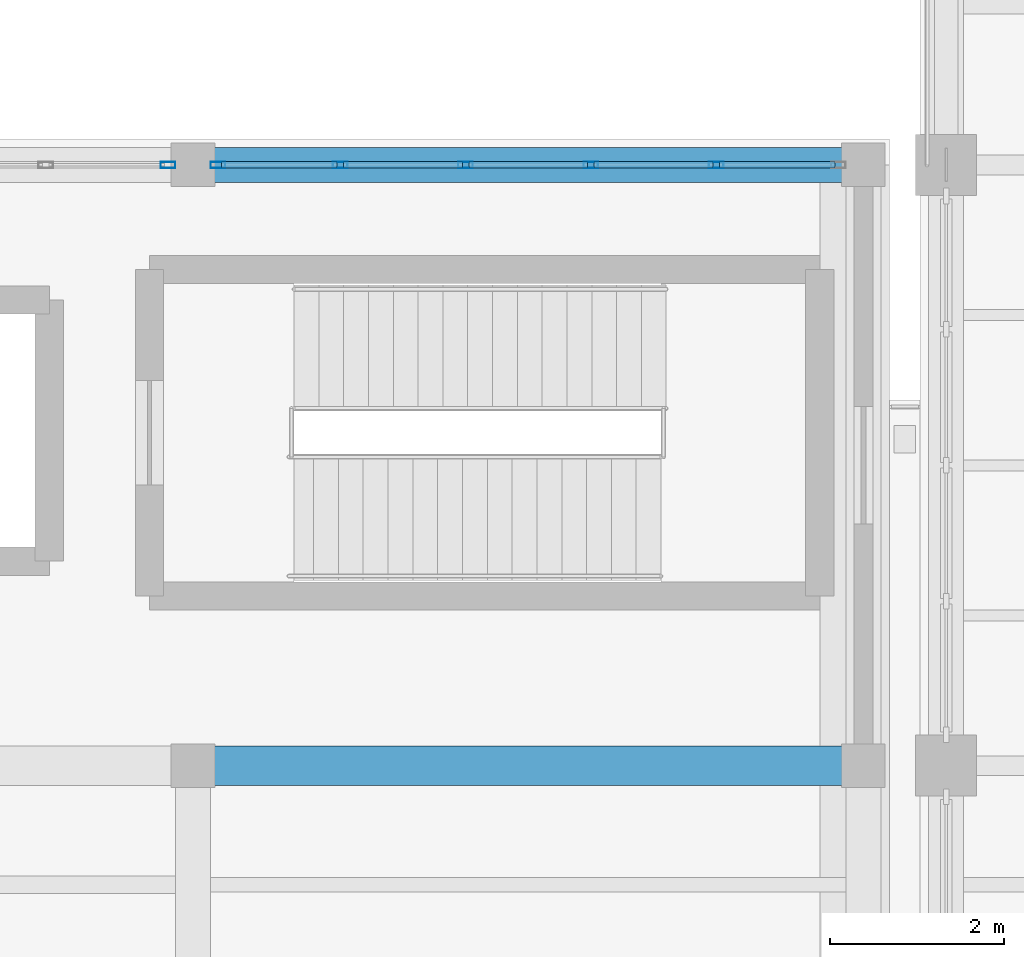
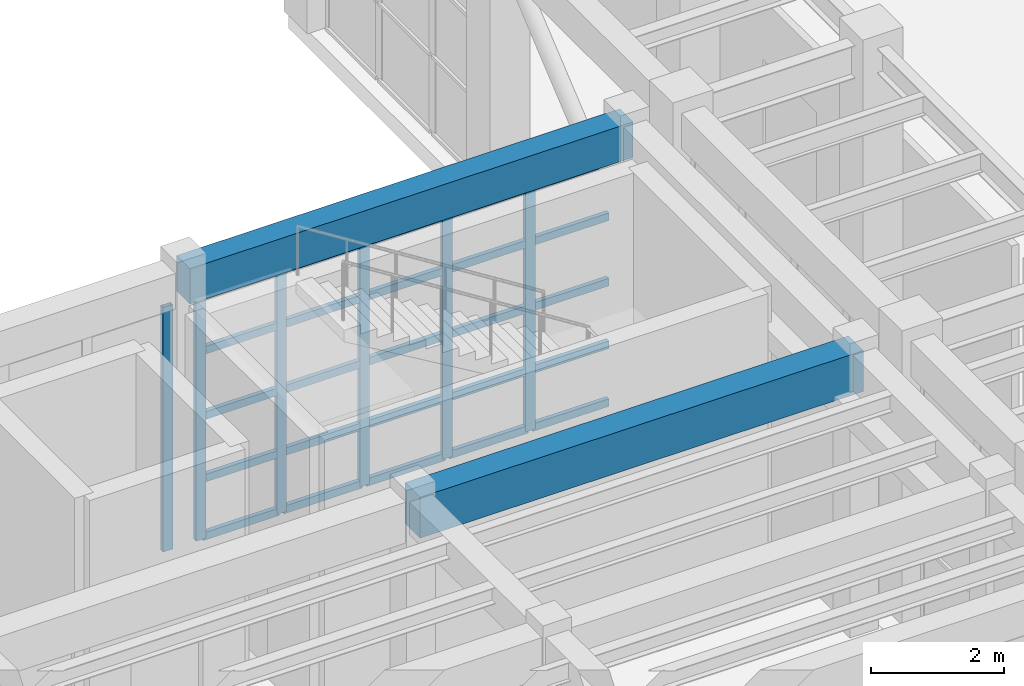
# One storey, part 32 of 103: 31 members, 2 beams, 2 elements without a shape of their own.
"""IFC4 building model written with IfcOpenShell, lengths in metres."""

from ifc_helpers import new_model, si_unit, direction, frame, origin, origin_2d, place, context, subcontext, project, spatial, rectangle, hollow_rectangle, extrude, material, layer, layer_set, material_profile, profile_set, type_object, element, aggregate, save


model = new_model("IFC4")

# Units and contexts
model_context = context("Model", 3, precision=1e-05, world=origin(), true_north=direction((0.0, 1.0)))
body_context = subcontext(model_context, "Body", "Model", "MODEL_VIEW")
ifc_project = project(units=[si_unit("LENGTHUNIT", "METRE"), si_unit("AREAUNIT", "SQUARE_METRE"), si_unit("VOLUMEUNIT", "CUBIC_METRE"), si_unit("PLANEANGLEUNIT", "RADIAN"), si_unit("MASSUNIT", "GRAM", prefix="KILO")], contexts=[model_context])

# Site, building, storey
site_placement = place(None, origin())
site = spatial("IfcSite", under=ifc_project, at=site_placement, CompositionType="ELEMENT")
building_placement = place(site_placement, origin())
building = spatial("IfcBuilding", under=site, at=building_placement, Name="Candilejo Ridge Gondola Terminal", CompositionType="ELEMENT")
storey_placement = place(building_placement, frame((0.0, 0.0, 9.0)))
storey = spatial("IfcBuildingStorey", under=building, at=storey_placement, Name="L02", CompositionType="ELEMENT", Elevation=9.0)

# Curtain wall, member
ifc_material_1 = material(Name="Anodised aluminium AA 6063-T6", Category="aluminium")
ifc_layer = layer(ifc_material_1, 0.169921875)
ifc_layer_set = layer_set([ifc_layer], Name="ARC-CW-GALLERY-3200-720X449")
curtain_wall_type = type_object("IfcCurtainWallType", Name="ARC-CW-GALLERY-3200-720X449", PredefinedType="NOTDEFINED", material=ifc_layer_set)
curtain_wall_1_placement = place(storey_placement, origin())
curtain_wall_1 = element("IfcCurtainWall", 1, at=curtain_wall_1_placement, inside=storey, type_object=curtain_wall_type, Name="Curtain wall V3 L02-090", PredefinedType="NOTDEFINED")
ifc_material_2 = material(Name="Anodised aluminium AA 6063-T6", Category="aluminium")
ifc_material_profile_1 = material_profile(ifc_material_2, hollow_rectangle(XDim=0.074951171875, YDim=0.169921875, WallThickness=0.00390625, at=origin_2d()))
ifc_profile_set_1 = profile_set([ifc_material_profile_1], Name="Anodised aluminium AA 6063-T6")
member_type_1 = type_object("IfcMemberType", Name="ARC-CW-MULLION", PredefinedType="MULLION", material=ifc_profile_set_1)
member_1_placement = place(storey_placement, frame((124.96240234375, 36.699951171875, 0.0), z_axis=(0.0, 0.0, 1.0), x_axis=(0.0, 1.0, 0.0)))
member_1 = element("IfcMember", 2, at=member_1_placement, type_object=member_type_1, Name="CW-72X44 mullion 6", PredefinedType="MULLION", context=body_context, shape_type="SweptSolid", body=[
    extrude(hollow_rectangle(XDim=0.074951171875, YDim=0.169921875, WallThickness=0.00390625, at=origin_2d()), origin(), (0.0, 0.0, 1.0), 4.489990234375),
])
aggregate(curtain_wall_1, [member_1])

# Curtain wall, members
curtain_wall_2_placement = place(storey_placement, origin())
curtain_wall_2 = element("IfcCurtainWall", 3, at=curtain_wall_2_placement, inside=storey, type_object=curtain_wall_type, Name="Curtain wall V3 L02-092", PredefinedType="NOTDEFINED")
member_2_placement = place(storey_placement, frame((125.53759765625, 36.699951171875, 0.0), z_axis=(0.0, 0.0, 1.0), x_axis=(0.0, 1.0, 0.0)))
member_2 = element("IfcMember", 4, at=member_2_placement, type_object=member_type_1, Name="CW-72X44 mullion 1", PredefinedType="MULLION", context=body_context, shape_type="SweptSolid", body=[
    extrude(hollow_rectangle(XDim=0.074951171875, YDim=0.169921875, WallThickness=0.00390625, at=origin_2d()), origin(), (0.0, 0.0, 1.0), 4.489990234375),
])
member_3_placement = place(storey_placement, frame((126.93994140625, 36.699951171875, 0.0), z_axis=(0.0, 0.0, 1.0), x_axis=(0.0, 1.0, 0.0)))
member_3 = element("IfcMember", 5, at=member_3_placement, type_object=member_type_1, Name="CW-72X44 mullion 2", PredefinedType="MULLION", context=body_context, shape_type="SweptSolid", body=[
    extrude(hollow_rectangle(XDim=0.074951171875, YDim=0.169921875, WallThickness=0.00390625, at=origin_2d()), origin(), (0.0, 0.0, 1.0), 4.489990234375),
])
member_4_placement = place(storey_placement, frame((128.3798828125, 36.699951171875, 0.0), z_axis=(0.0, 0.0, 1.0), x_axis=(0.0, 1.0, 0.0)))
member_4 = element("IfcMember", 6, at=member_4_placement, type_object=member_type_1, Name="CW-72X44 mullion 3", PredefinedType="MULLION", context=body_context, shape_type="SweptSolid", body=[
    extrude(hollow_rectangle(XDim=0.074951171875, YDim=0.169921875, WallThickness=0.00390625, at=origin_2d()), origin(), (0.0, 0.0, 1.0), 4.489990234375),
])
member_5_placement = place(storey_placement, frame((129.820068359375, 36.699951171875, 0.0), z_axis=(0.0, 0.0, 1.0), x_axis=(0.0, 1.0, 0.0)))
member_5 = element("IfcMember", 7, at=member_5_placement, type_object=member_type_1, Name="CW-72X44 mullion 4", PredefinedType="MULLION", context=body_context, shape_type="SweptSolid", body=[
    extrude(hollow_rectangle(XDim=0.074951171875, YDim=0.169921875, WallThickness=0.00390625, at=origin_2d()), origin(), (0.0, 0.0, 1.0), 4.489990234375),
])
member_6_placement = place(storey_placement, frame((131.260009765625, 36.699951171875, 0.0), z_axis=(0.0, 0.0, 1.0), x_axis=(0.0, 1.0, 0.0)))
member_6 = element("IfcMember", 8, at=member_6_placement, type_object=member_type_1, Name="CW-72X44 mullion 5", PredefinedType="MULLION", context=body_context, shape_type="SweptSolid", body=[
    extrude(hollow_rectangle(XDim=0.074951171875, YDim=0.169921875, WallThickness=0.00390625, at=origin_2d()), origin(), (0.0, 0.0, 1.0), 4.489990234375),
])
ifc_material_3 = material(Name="Anodised aluminium AA 6063-T6", Category="aluminium")
ifc_material_profile_2 = material_profile(ifc_material_3, hollow_rectangle(XDim=0.074951171875, YDim=0.139892578125, WallThickness=0.00390625, at=origin_2d()))
ifc_profile_set_2 = profile_set([ifc_material_profile_2], Name="Anodised aluminium AA 6063-T6")
member_type_2 = type_object("IfcMemberType", Name="ARC-CW-TRANSOM", PredefinedType="USERDEFINED", material=ifc_profile_set_2)
member_7_placement = place(storey_placement, frame((125.574951171875, 36.699951171875, 0.03759765625), z_axis=(1.0, 0.0, 0.0), x_axis=(0.0, 1.0, 0.0)))
member_7 = element("IfcMember", 9, at=member_7_placement, type_object=member_type_2, Name="CW-72X44 transom 1.1", ObjectType="TRANSOM", PredefinedType="USERDEFINED", context=body_context, shape_type="SweptSolid", body=[
    extrude(hollow_rectangle(XDim=0.074951171875, YDim=0.139892578125, WallThickness=0.00390625, at=origin_2d()), origin(), (0.0, 0.0, 1.0), 1.32763671875),
])
member_8_placement = place(storey_placement, frame((125.574951171875, 36.699951171875, 1.10009765625), z_axis=(1.0, 0.0, 0.0), x_axis=(0.0, 1.0, 0.0)))
member_8 = element("IfcMember", 10, at=member_8_placement, type_object=member_type_2, Name="CW-72X44 transom 1.2", ObjectType="TRANSOM", PredefinedType="USERDEFINED", context=body_context, shape_type="SweptSolid", body=[
    extrude(hollow_rectangle(XDim=0.074951171875, YDim=0.139892578125, WallThickness=0.00390625, at=origin_2d()), origin(), (0.0, 0.0, 1.0), 1.32763671875),
])
member_9_placement = place(storey_placement, frame((125.574951171875, 36.699951171875, 2.25), z_axis=(1.0, 0.0, 0.0), x_axis=(0.0, 1.0, 0.0)))
member_9 = element("IfcMember", 11, at=member_9_placement, type_object=member_type_2, Name="CW-72X44 transom 1.3", ObjectType="TRANSOM", PredefinedType="USERDEFINED", context=body_context, shape_type="SweptSolid", body=[
    extrude(hollow_rectangle(XDim=0.074951171875, YDim=0.139892578125, WallThickness=0.00390625, at=origin_2d()), origin(), (0.0, 0.0, 1.0), 1.32763671875),
])
member_10_placement = place(storey_placement, frame((125.574951171875, 36.699951171875, 3.449951171875), z_axis=(1.0, 0.0, 0.0), x_axis=(0.0, 1.0, 0.0)))
member_10 = element("IfcMember", 12, at=member_10_placement, type_object=member_type_2, Name="CW-72X44 transom 1.4", ObjectType="TRANSOM", PredefinedType="USERDEFINED", context=body_context, shape_type="SweptSolid", body=[
    extrude(hollow_rectangle(XDim=0.074951171875, YDim=0.139892578125, WallThickness=0.00390625, at=origin_2d()), origin(), (0.0, 0.0, 1.0), 1.32763671875),
])
member_11_placement = place(storey_placement, frame((125.574951171875, 36.699951171875, 4.452392578125), z_axis=(1.0, 0.0, 0.0), x_axis=(0.0, 1.0, 0.0)))
member_11 = element("IfcMember", 13, at=member_11_placement, type_object=member_type_2, Name="CW-72X44 transom 1.5", ObjectType="TRANSOM", PredefinedType="USERDEFINED", context=body_context, shape_type="SweptSolid", body=[
    extrude(hollow_rectangle(XDim=0.074951171875, YDim=0.139892578125, WallThickness=0.00390625, at=origin_2d()), origin(), (0.0, 0.0, 1.0), 1.32763671875),
])
member_12_placement = place(storey_placement, frame((126.9775390625, 36.699951171875, 0.03759765625), z_axis=(1.0, 0.0, 0.0), x_axis=(0.0, 1.0, 0.0)))
member_12 = element("IfcMember", 14, at=member_12_placement, type_object=member_type_2, Name="CW-72X44 transom 2.1", ObjectType="TRANSOM", PredefinedType="USERDEFINED", context=body_context, shape_type="SweptSolid", body=[
    extrude(hollow_rectangle(XDim=0.074951171875, YDim=0.139892578125, WallThickness=0.00390625, at=origin_2d()), origin(), (0.0, 0.0, 1.0), 1.364990234375),
])
member_13_placement = place(storey_placement, frame((126.9775390625, 36.699951171875, 1.10009765625), z_axis=(1.0, 0.0, 0.0), x_axis=(0.0, 1.0, 0.0)))
member_13 = element("IfcMember", 15, at=member_13_placement, type_object=member_type_2, Name="CW-72X44 transom 2.2", ObjectType="TRANSOM", PredefinedType="USERDEFINED", context=body_context, shape_type="SweptSolid", body=[
    extrude(hollow_rectangle(XDim=0.074951171875, YDim=0.139892578125, WallThickness=0.00390625, at=origin_2d()), origin(), (0.0, 0.0, 1.0), 1.364990234375),
])
member_14_placement = place(storey_placement, frame((126.9775390625, 36.699951171875, 2.25), z_axis=(1.0, 0.0, 0.0), x_axis=(0.0, 1.0, 0.0)))
member_14 = element("IfcMember", 16, at=member_14_placement, type_object=member_type_2, Name="CW-72X44 transom 2.3", ObjectType="TRANSOM", PredefinedType="USERDEFINED", context=body_context, shape_type="SweptSolid", body=[
    extrude(hollow_rectangle(XDim=0.074951171875, YDim=0.139892578125, WallThickness=0.00390625, at=origin_2d()), origin(), (0.0, 0.0, 1.0), 1.364990234375),
])
member_15_placement = place(storey_placement, frame((126.9775390625, 36.699951171875, 3.449951171875), z_axis=(1.0, 0.0, 0.0), x_axis=(0.0, 1.0, 0.0)))
member_15 = element("IfcMember", 17, at=member_15_placement, type_object=member_type_2, Name="CW-72X44 transom 2.4", ObjectType="TRANSOM", PredefinedType="USERDEFINED", context=body_context, shape_type="SweptSolid", body=[
    extrude(hollow_rectangle(XDim=0.074951171875, YDim=0.139892578125, WallThickness=0.00390625, at=origin_2d()), origin(), (0.0, 0.0, 1.0), 1.364990234375),
])
member_16_placement = place(storey_placement, frame((126.9775390625, 36.699951171875, 4.452392578125), z_axis=(1.0, 0.0, 0.0), x_axis=(0.0, 1.0, 0.0)))
member_16 = element("IfcMember", 18, at=member_16_placement, type_object=member_type_2, Name="CW-72X44 transom 2.5", ObjectType="TRANSOM", PredefinedType="USERDEFINED", context=body_context, shape_type="SweptSolid", body=[
    extrude(hollow_rectangle(XDim=0.074951171875, YDim=0.139892578125, WallThickness=0.00390625, at=origin_2d()), origin(), (0.0, 0.0, 1.0), 1.364990234375),
])
member_17_placement = place(storey_placement, frame((128.41748046875, 36.699951171875, 0.03759765625), z_axis=(1.0, 0.0, 0.0), x_axis=(0.0, 1.0, 0.0)))
member_17 = element("IfcMember", 19, at=member_17_placement, type_object=member_type_2, Name="CW-72X44 transom 3.1", ObjectType="TRANSOM", PredefinedType="USERDEFINED", context=body_context, shape_type="SweptSolid", body=[
    extrude(hollow_rectangle(XDim=0.074951171875, YDim=0.139892578125, WallThickness=0.00390625, at=origin_2d()), origin(), (0.0, 0.0, 1.0), 1.364990234375),
])
member_18_placement = place(storey_placement, frame((128.41748046875, 36.699951171875, 1.10009765625), z_axis=(1.0, 0.0, 0.0), x_axis=(0.0, 1.0, 0.0)))
member_18 = element("IfcMember", 20, at=member_18_placement, type_object=member_type_2, Name="CW-72X44 transom 3.2", ObjectType="TRANSOM", PredefinedType="USERDEFINED", context=body_context, shape_type="SweptSolid", body=[
    extrude(hollow_rectangle(XDim=0.074951171875, YDim=0.139892578125, WallThickness=0.00390625, at=origin_2d()), origin(), (0.0, 0.0, 1.0), 1.364990234375),
])
member_19_placement = place(storey_placement, frame((128.41748046875, 36.699951171875, 2.25), z_axis=(1.0, 0.0, 0.0), x_axis=(0.0, 1.0, 0.0)))
member_19 = element("IfcMember", 21, at=member_19_placement, type_object=member_type_2, Name="CW-72X44 transom 3.3", ObjectType="TRANSOM", PredefinedType="USERDEFINED", context=body_context, shape_type="SweptSolid", body=[
    extrude(hollow_rectangle(XDim=0.074951171875, YDim=0.139892578125, WallThickness=0.00390625, at=origin_2d()), origin(), (0.0, 0.0, 1.0), 1.364990234375),
])
member_20_placement = place(storey_placement, frame((128.41748046875, 36.699951171875, 3.449951171875), z_axis=(1.0, 0.0, 0.0), x_axis=(0.0, 1.0, 0.0)))
member_20 = element("IfcMember", 22, at=member_20_placement, type_object=member_type_2, Name="CW-72X44 transom 3.4", ObjectType="TRANSOM", PredefinedType="USERDEFINED", context=body_context, shape_type="SweptSolid", body=[
    extrude(hollow_rectangle(XDim=0.074951171875, YDim=0.139892578125, WallThickness=0.00390625, at=origin_2d()), origin(), (0.0, 0.0, 1.0), 1.364990234375),
])
member_21_placement = place(storey_placement, frame((128.41748046875, 36.699951171875, 4.452392578125), z_axis=(1.0, 0.0, 0.0), x_axis=(0.0, 1.0, 0.0)))
member_21 = element("IfcMember", 23, at=member_21_placement, type_object=member_type_2, Name="CW-72X44 transom 3.5", ObjectType="TRANSOM", PredefinedType="USERDEFINED", context=body_context, shape_type="SweptSolid", body=[
    extrude(hollow_rectangle(XDim=0.074951171875, YDim=0.139892578125, WallThickness=0.00390625, at=origin_2d()), origin(), (0.0, 0.0, 1.0), 1.364990234375),
])
member_22_placement = place(storey_placement, frame((129.857421875, 36.699951171875, 0.03759765625), z_axis=(1.0, 0.0, 0.0), x_axis=(0.0, 1.0, 0.0)))
member_22 = element("IfcMember", 24, at=member_22_placement, type_object=member_type_2, Name="CW-72X44 transom 4.1", ObjectType="TRANSOM", PredefinedType="USERDEFINED", context=body_context, shape_type="SweptSolid", body=[
    extrude(hollow_rectangle(XDim=0.074951171875, YDim=0.139892578125, WallThickness=0.00390625, at=origin_2d()), origin(), (0.0, 0.0, 1.0), 1.364990234375),
])
member_23_placement = place(storey_placement, frame((129.857421875, 36.699951171875, 1.10009765625), z_axis=(1.0, 0.0, 0.0), x_axis=(0.0, 1.0, 0.0)))
member_23 = element("IfcMember", 25, at=member_23_placement, type_object=member_type_2, Name="CW-72X44 transom 4.2", ObjectType="TRANSOM", PredefinedType="USERDEFINED", context=body_context, shape_type="SweptSolid", body=[
    extrude(hollow_rectangle(XDim=0.074951171875, YDim=0.139892578125, WallThickness=0.00390625, at=origin_2d()), origin(), (0.0, 0.0, 1.0), 1.364990234375),
])
member_24_placement = place(storey_placement, frame((129.857421875, 36.699951171875, 2.25), z_axis=(1.0, 0.0, 0.0), x_axis=(0.0, 1.0, 0.0)))
member_24 = element("IfcMember", 26, at=member_24_placement, type_object=member_type_2, Name="CW-72X44 transom 4.3", ObjectType="TRANSOM", PredefinedType="USERDEFINED", context=body_context, shape_type="SweptSolid", body=[
    extrude(hollow_rectangle(XDim=0.074951171875, YDim=0.139892578125, WallThickness=0.00390625, at=origin_2d()), origin(), (0.0, 0.0, 1.0), 1.364990234375),
])
member_25_placement = place(storey_placement, frame((129.857421875, 36.699951171875, 3.449951171875), z_axis=(1.0, 0.0, 0.0), x_axis=(0.0, 1.0, 0.0)))
member_25 = element("IfcMember", 27, at=member_25_placement, type_object=member_type_2, Name="CW-72X44 transom 4.4", ObjectType="TRANSOM", PredefinedType="USERDEFINED", context=body_context, shape_type="SweptSolid", body=[
    extrude(hollow_rectangle(XDim=0.074951171875, YDim=0.139892578125, WallThickness=0.00390625, at=origin_2d()), origin(), (0.0, 0.0, 1.0), 1.364990234375),
])
member_26_placement = place(storey_placement, frame((129.857421875, 36.699951171875, 4.452392578125), z_axis=(1.0, 0.0, 0.0), x_axis=(0.0, 1.0, 0.0)))
member_26 = element("IfcMember", 28, at=member_26_placement, type_object=member_type_2, Name="CW-72X44 transom 4.5", ObjectType="TRANSOM", PredefinedType="USERDEFINED", context=body_context, shape_type="SweptSolid", body=[
    extrude(hollow_rectangle(XDim=0.074951171875, YDim=0.139892578125, WallThickness=0.00390625, at=origin_2d()), origin(), (0.0, 0.0, 1.0), 1.364990234375),
])
member_27_placement = place(storey_placement, frame((131.297607421875, 36.699951171875, 0.03759765625), z_axis=(1.0, 0.0, 0.0), x_axis=(0.0, 1.0, 0.0)))
member_27 = element("IfcMember", 29, at=member_27_placement, type_object=member_type_2, Name="CW-72X44 transom 5.1", ObjectType="TRANSOM", PredefinedType="USERDEFINED", context=body_context, shape_type="SweptSolid", body=[
    extrude(hollow_rectangle(XDim=0.074951171875, YDim=0.139892578125, WallThickness=0.00390625, at=origin_2d()), origin(), (0.0, 0.0, 1.0), 1.327392578125),
])
member_28_placement = place(storey_placement, frame((131.297607421875, 36.699951171875, 1.10009765625), z_axis=(1.0, 0.0, 0.0), x_axis=(0.0, 1.0, 0.0)))
member_28 = element("IfcMember", 30, at=member_28_placement, type_object=member_type_2, Name="CW-72X44 transom 5.2", ObjectType="TRANSOM", PredefinedType="USERDEFINED", context=body_context, shape_type="SweptSolid", body=[
    extrude(hollow_rectangle(XDim=0.074951171875, YDim=0.139892578125, WallThickness=0.00390625, at=origin_2d()), origin(), (0.0, 0.0, 1.0), 1.327392578125),
])
member_29_placement = place(storey_placement, frame((131.297607421875, 36.699951171875, 2.25), z_axis=(1.0, 0.0, 0.0), x_axis=(0.0, 1.0, 0.0)))
member_29 = element("IfcMember", 31, at=member_29_placement, type_object=member_type_2, Name="CW-72X44 transom 5.3", ObjectType="TRANSOM", PredefinedType="USERDEFINED", context=body_context, shape_type="SweptSolid", body=[
    extrude(hollow_rectangle(XDim=0.074951171875, YDim=0.139892578125, WallThickness=0.00390625, at=origin_2d()), origin(), (0.0, 0.0, 1.0), 1.327392578125),
])
member_30_placement = place(storey_placement, frame((131.297607421875, 36.699951171875, 3.449951171875), z_axis=(1.0, 0.0, 0.0), x_axis=(0.0, 1.0, 0.0)))
member_30 = element("IfcMember", 32, at=member_30_placement, type_object=member_type_2, Name="CW-72X44 transom 5.4", ObjectType="TRANSOM", PredefinedType="USERDEFINED", context=body_context, shape_type="SweptSolid", body=[
    extrude(hollow_rectangle(XDim=0.074951171875, YDim=0.139892578125, WallThickness=0.00390625, at=origin_2d()), origin(), (0.0, 0.0, 1.0), 1.327392578125),
])
member_31_placement = place(storey_placement, frame((131.297607421875, 36.699951171875, 4.452392578125), z_axis=(1.0, 0.0, 0.0), x_axis=(0.0, 1.0, 0.0)))
member_31 = element("IfcMember", 33, at=member_31_placement, type_object=member_type_2, Name="CW-72X44 transom 5.5", ObjectType="TRANSOM", PredefinedType="USERDEFINED", context=body_context, shape_type="SweptSolid", body=[
    extrude(hollow_rectangle(XDim=0.074951171875, YDim=0.139892578125, WallThickness=0.00390625, at=origin_2d()), origin(), (0.0, 0.0, 1.0), 1.327392578125),
])
aggregate(curtain_wall_2, [member_2, member_3, member_4, member_5, member_6, member_7, member_8, member_9, member_10, member_11, member_12, member_13, member_14, member_15, member_16, member_17, member_18, member_19, member_20, member_21, member_22, member_23, member_24, member_25, member_26, member_27, member_28, member_29, member_30, member_31])

# Beams
ifc_material_4 = material(Name="Concrete f'c 35 MPa (C35/45)", Category="concrete")
ifc_material_profile_3 = material_profile(ifc_material_4, rectangle(XDim=0.449951171875, YDim=0.75, at=origin_2d()))
ifc_profile_set_3 = profile_set([ifc_material_profile_3], Name="Concrete f'c 35 MPa (C35/45)")
beam_type_1 = type_object("IfcBeamType", Name="STR-BM-RC450X750", PredefinedType="BEAM", material=ifc_profile_set_3)
beam_1_placement = place(storey_placement, frame((125.25, 29.800048828125, 4.800048828125), z_axis=(1.0, 0.0, 0.0), x_axis=(0.0, 1.0, 0.0)))
element("IfcBeam", 34, at=beam_1_placement, inside=storey, type_object=beam_type_1, Name="Beam X V3 L02 X19-X20@Y06", PredefinedType="BEAM", context=body_context, shape_type="SweptSolid", body=[
    extrude(rectangle(XDim=0.449951171875, YDim=0.75, at=origin_2d()), origin(), (0.0, 0.0, 1.0), 7.699951171875),
])
ifc_material_5 = material(Name="Concrete f'c 35 MPa (C35/45)", Category="concrete")
ifc_material_profile_4 = material_profile(ifc_material_5, rectangle(XDim=0.39990234375, YDim=0.64990234375, at=origin_2d()))
ifc_profile_set_4 = profile_set([ifc_material_profile_4], Name="Concrete f'c 35 MPa (C35/45)")
beam_type_2 = type_object("IfcBeamType", Name="STR-SPN-RC400X650", PredefinedType="SPANDREL", material=ifc_profile_set_4)
beam_2_placement = place(storey_placement, frame((125.25, 36.699951171875, 4.85009765625), z_axis=(1.0, 0.0, 0.0), x_axis=(0.0, 1.0, 0.0)))
element("IfcBeam", 35, at=beam_2_placement, inside=storey, type_object=beam_type_2, Name="Beam X V3 L02 X19-X20@Y07", PredefinedType="SPANDREL", context=body_context, shape_type="SweptSolid", body=[
    extrude(rectangle(XDim=0.39990234375, YDim=0.64990234375, at=origin_2d()), origin(), (0.0, 0.0, 1.0), 7.699951171875),
])

save(model, "model.ifc")
